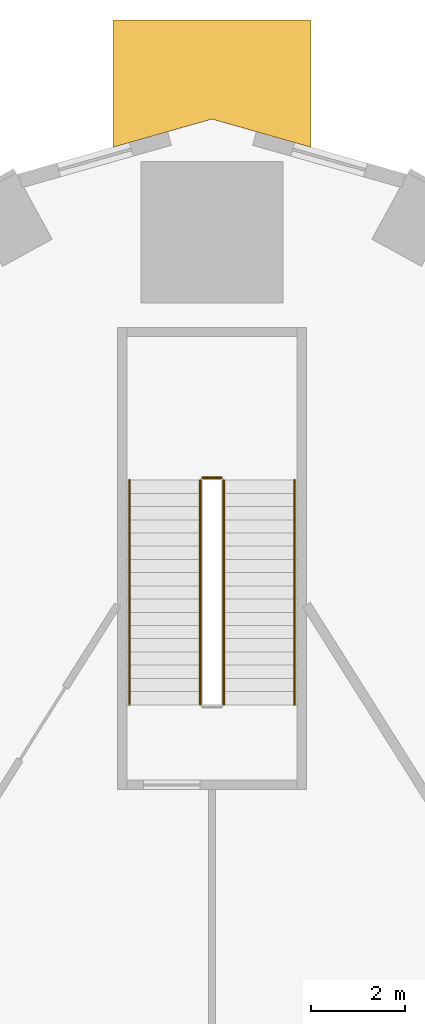
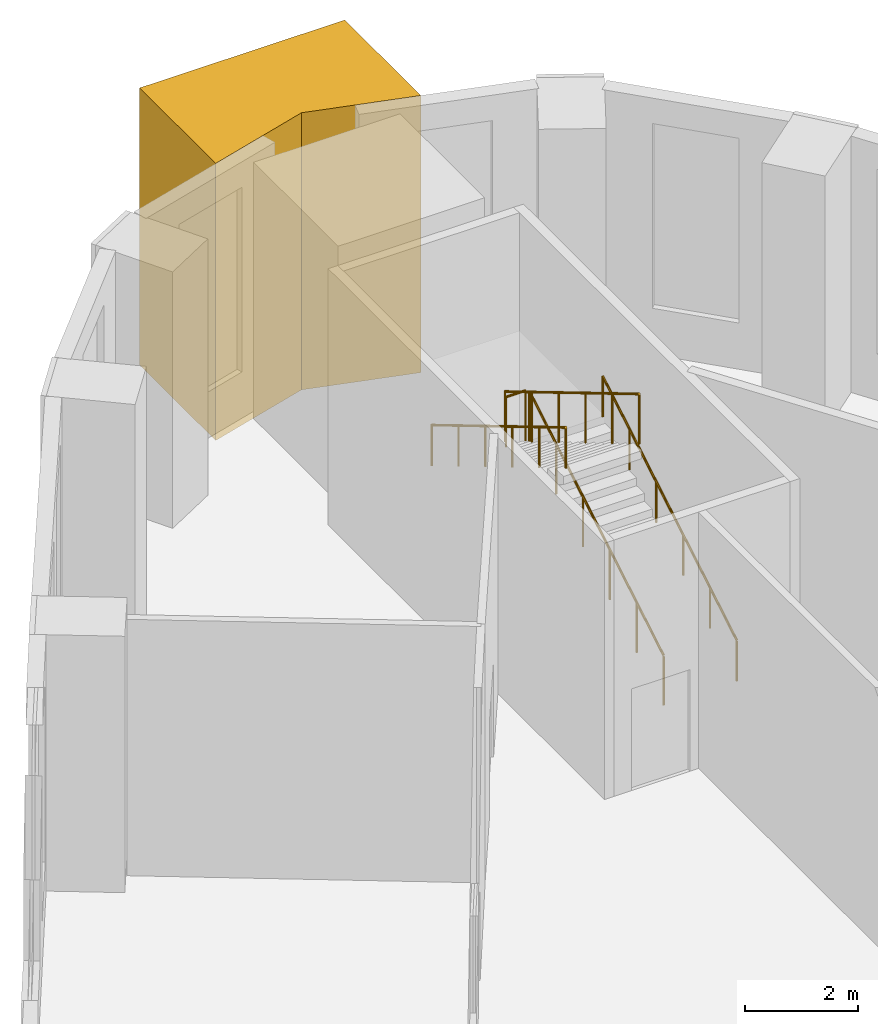
# One storey, part 15 of 15: 5 railings, 1 covering.
"""IFC4 building model written with IfcOpenShell, lengths in metres."""

from ifc_helpers import new_model, si_unit, direction, frame, origin, origin_2d, place, context, subcontext, project, spatial, polyline, circle, outline, extrude, material, type_object, element, save


model = new_model("IFC4")

# Units and contexts
model_context = context("Model", 3, precision=1e-05, world=origin(), true_north=direction((0.0, 1.0)))
body_context = subcontext(model_context, "Body", "Model", "MODEL_VIEW")
ifc_project = project(units=[si_unit("LENGTHUNIT", "METRE"), si_unit("AREAUNIT", "SQUARE_METRE"), si_unit("VOLUMEUNIT", "CUBIC_METRE"), si_unit("PLANEANGLEUNIT", "RADIAN"), si_unit("MASSUNIT", "GRAM", prefix="KILO")], contexts=[model_context])

# Site, building, storey
site_placement = place(None, origin())
site = spatial("IfcSite", under=ifc_project, at=site_placement, CompositionType="ELEMENT")
building_placement = place(site_placement, origin())
building = spatial("IfcBuilding", under=site, at=building_placement, Name="Entoto Arch Interchange Tower", CompositionType="ELEMENT")
storey_placement = place(building_placement, frame((0.0, 0.0, 9.0)))
storey = spatial("IfcBuildingStorey", under=building, at=storey_placement, Name="L01", CompositionType="ELEMENT", Elevation=9.0)

# Covering
ifc_material_1 = material(Name="Board-marked precast concrete C50/60", Category="concrete")
covering_type = type_object("IfcCoveringType", Name="PRECAST FRAME COURSE", PredefinedType="CLADDING", material=ifc_material_1)
covering_placement = place(storey_placement, frame((0.0, 0.0, -0.449951171875)))
element("IfcCovering", 1, at=covering_placement, inside=storey, type_object=covering_type, Name="Podium corner pier N L01", PredefinedType="CLADDING", context=body_context, shape_type="SweptSolid", body=[
    extrude(outline(polyline([(2.10009765625, 49.612060546875), (2.10009765625, 46.916015625), (0.0, 47.511962890625), (-2.10009765625, 46.916015625), (-2.10009765625, 49.612060546875), (2.10009765625, 49.612060546875)])), origin(), (0.0, 0.0, 1.0), 6.0),
])

# Railings
ifc_material_2 = material(Name="Stainless steel 1.4301", Category="steel")
railing_type_1 = type_object("IfcRailingType", Name="STAIR GUARD 1100 STEEL", PredefinedType="GUARDRAIL", material=ifc_material_2)
railing_1_placement = place(storey_placement, frame((0.25, 35.10009765625, 0.166748046875)))
element("IfcRailing", 2, at=railing_1_placement, inside=storey, type_object=railing_type_1, Name="L01 PST-N stair guard 1", PredefinedType="GUARDRAIL", context=body_context, shape_type="SweptSolid", body=[
    extrude(circle(Radius=0.02392578125, at=origin_2d()), frame((0.0, 0.0, 1.076171875), z_axis=(0.0, 0.859299802514, 0.511472237174), x_axis=(-1.0, 0.0, 0.0)), (0.0, 0.0, 1.0), 5.539306640625),
    extrude(circle(Radius=0.02099609375, at=origin_2d()), origin(), (0.0, 0.0, 1.0), 1.052001953125),
    extrude(circle(Radius=0.02099609375, at=origin_2d()), frame((0.0, 0.951904296875, 0.566650390625)), (0.0, 0.0, 1.0), 1.052001953125),
    extrude(circle(Radius=0.02099609375, at=origin_2d()), frame((0.0, 1.904052734375, 1.13330078125)), (0.0, 0.0, 1.0), 1.052001953125),
    extrude(circle(Radius=0.02099609375, at=origin_2d()), frame((0.0, 2.85595703125, 1.699951171875)), (0.0, 0.0, 1.0), 1.052001953125),
    extrude(circle(Radius=0.02099609375, at=origin_2d()), frame((0.0, 3.80810546875, 2.2666015625)), (0.0, 0.0, 1.0), 1.052001953125),
    extrude(circle(Radius=0.02099609375, at=origin_2d()), frame((0.0, 4.760009765625, 2.833251953125)), (0.0, 0.0, 1.0), 1.052001953125),
])
railing_2_placement = place(storey_placement, frame((0.199951171875, 39.909912109375, 3.0)))
element("IfcRailing", 3, at=railing_2_placement, inside=storey, type_object=railing_type_1, Name="L01 PST-N stair guard 2", PredefinedType="GUARDRAIL", context=body_context, shape_type="SweptSolid", body=[
    extrude(circle(Radius=0.02392578125, at=origin_2d()), frame((0.0, 0.0, 1.076171875), z_axis=(-1.0, 0.0, 0.0), x_axis=(0.0, -1.0, 0.0)), (0.0, 0.0, 1.0), 0.39990234375),
    extrude(circle(Radius=0.02099609375, at=origin_2d()), origin(), (0.0, 0.0, 1.0), 1.052001953125),
    extrude(circle(Radius=0.02099609375, at=origin_2d()), frame((-0.39990234375, 0.0, 0.0)), (0.0, 0.0, 1.0), 1.052001953125),
])
railing_3_placement = place(storey_placement, frame((-0.25, 39.860107421875, 3.166748046875)))
element("IfcRailing", 4, at=railing_3_placement, inside=storey, type_object=railing_type_1, Name="L01 PST-N stair guard 3", PredefinedType="GUARDRAIL", context=body_context, shape_type="SweptSolid", body=[
    extrude(circle(Radius=0.02392578125, at=origin_2d()), frame((0.0, 0.0, 1.076171875), z_axis=(0.0, -0.859299802514, 0.511472237174), x_axis=(1.0, 0.0, 0.0)), (0.0, 0.0, 1.0), 5.539306640625),
    extrude(circle(Radius=0.02099609375, at=origin_2d()), origin(), (0.0, 0.0, 1.0), 1.052001953125),
    extrude(circle(Radius=0.02099609375, at=origin_2d()), frame((0.0, -0.951904296875, 0.566650390625)), (0.0, 0.0, 1.0), 1.052001953125),
    extrude(circle(Radius=0.02099609375, at=origin_2d()), frame((0.0, -1.904052734375, 1.13330078125)), (0.0, 0.0, 1.0), 1.052001953125),
    extrude(circle(Radius=0.02099609375, at=origin_2d()), frame((0.0, -2.85595703125, 1.699951171875)), (0.0, 0.0, 1.0), 1.052001953125),
    extrude(circle(Radius=0.02099609375, at=origin_2d()), frame((0.0, -3.80810546875, 2.2666015625)), (0.0, 0.0, 1.0), 1.052001953125),
    extrude(circle(Radius=0.02099609375, at=origin_2d()), frame((0.0, -4.760009765625, 2.833251953125)), (0.0, 0.0, 1.0), 1.052001953125),
])
railing_type_2 = type_object("IfcRailingType", Name="STAIR HANDRAIL 900 STEEL", PredefinedType="HANDRAIL", material=ifc_material_2)
railing_4_placement = place(storey_placement, frame((1.75, 35.10009765625, 0.166748046875)))
element("IfcRailing", 5, at=railing_4_placement, inside=storey, type_object=railing_type_2, Name="L01 PST-N stair handrail 1", PredefinedType="HANDRAIL", context=body_context, shape_type="SweptSolid", body=[
    extrude(circle(Radius=0.02392578125, at=origin_2d()), frame((0.0, 0.0, 0.8759765625), z_axis=(0.0, 0.859299802514, 0.511472237174), x_axis=(-1.0, 0.0, 0.0)), (0.0, 0.0, 1.0), 5.539306640625),
    extrude(circle(Radius=0.02099609375, at=origin_2d()), origin(), (0.0, 0.0, 1.0), 0.851806640625),
    extrude(circle(Radius=0.02099609375, at=origin_2d()), frame((0.0, 0.951904296875, 0.566650390625)), (0.0, 0.0, 1.0), 0.851806640625),
    extrude(circle(Radius=0.02099609375, at=origin_2d()), frame((0.0, 1.904052734375, 1.13330078125)), (0.0, 0.0, 1.0), 0.851806640625),
    extrude(circle(Radius=0.02099609375, at=origin_2d()), frame((0.0, 2.85595703125, 1.699951171875)), (0.0, 0.0, 1.0), 0.851806640625),
    extrude(circle(Radius=0.02099609375, at=origin_2d()), frame((0.0, 3.80810546875, 2.2666015625)), (0.0, 0.0, 1.0), 0.851806640625),
    extrude(circle(Radius=0.02099609375, at=origin_2d()), frame((0.0, 4.760009765625, 2.833251953125)), (0.0, 0.0, 1.0), 0.851806640625),
])
railing_5_placement = place(storey_placement, frame((-1.75, 39.860107421875, 3.166748046875)))
element("IfcRailing", 6, at=railing_5_placement, inside=storey, type_object=railing_type_2, Name="L01 PST-N stair handrail 2", PredefinedType="HANDRAIL", context=body_context, shape_type="SweptSolid", body=[
    extrude(circle(Radius=0.02392578125, at=origin_2d()), frame((0.0, 0.0, 0.8759765625), z_axis=(0.0, -0.859299802514, 0.511472237174), x_axis=(1.0, 0.0, 0.0)), (0.0, 0.0, 1.0), 5.539306640625),
    extrude(circle(Radius=0.02099609375, at=origin_2d()), origin(), (0.0, 0.0, 1.0), 0.851806640625),
    extrude(circle(Radius=0.02099609375, at=origin_2d()), frame((0.0, -0.951904296875, 0.566650390625)), (0.0, 0.0, 1.0), 0.851806640625),
    extrude(circle(Radius=0.02099609375, at=origin_2d()), frame((0.0, -1.904052734375, 1.13330078125)), (0.0, 0.0, 1.0), 0.851806640625),
    extrude(circle(Radius=0.02099609375, at=origin_2d()), frame((0.0, -2.85595703125, 1.699951171875)), (0.0, 0.0, 1.0), 0.851806640625),
    extrude(circle(Radius=0.02099609375, at=origin_2d()), frame((0.0, -3.80810546875, 2.2666015625)), (0.0, 0.0, 1.0), 0.851806640625),
    extrude(circle(Radius=0.02099609375, at=origin_2d()), frame((0.0, -4.760009765625, 2.833251953125)), (0.0, 0.0, 1.0), 0.851806640625),
])

save(model, "model.ifc")
